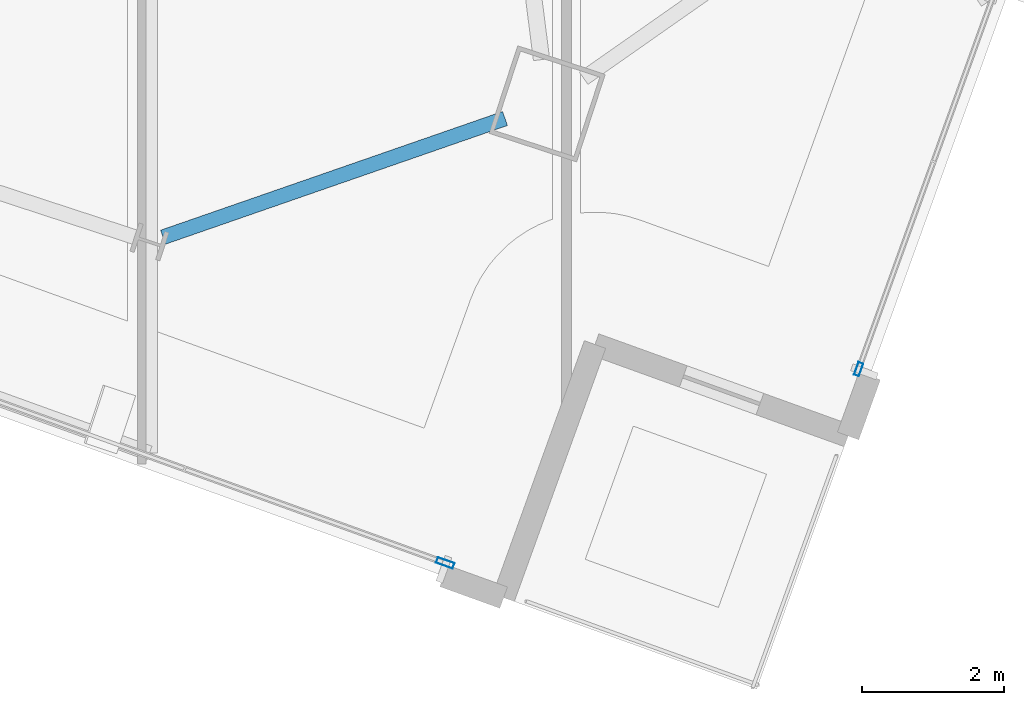
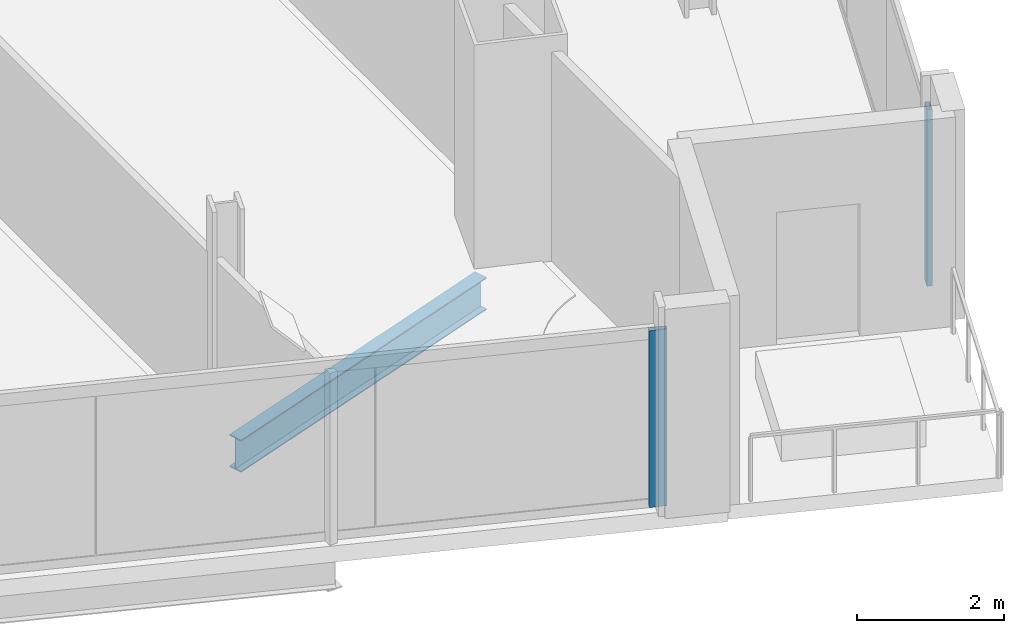
# One storey, part 8 of 27: 2 members, 1 beam, 2 elements without a shape of their own.
"""IFC4 building model written with IfcOpenShell, lengths in metres."""

from ifc_helpers import new_model, si_unit, direction, frame, origin, origin_2d, place, context, subcontext, project, spatial, hollow_rectangle, i_section, extrude, material, material_profile, profile_set, type_object, element, aggregate, save


model = new_model("IFC4")

# Units and contexts
model_context = context("Model", 3, precision=1e-05, world=origin(), true_north=direction((0.0, 1.0)))
body_context = subcontext(model_context, "Body", "Model", "MODEL_VIEW")
ifc_project = project(units=[si_unit("LENGTHUNIT", "METRE"), si_unit("AREAUNIT", "SQUARE_METRE"), si_unit("VOLUMEUNIT", "CUBIC_METRE"), si_unit("PLANEANGLEUNIT", "RADIAN"), si_unit("MASSUNIT", "GRAM", prefix="KILO")], contexts=[model_context])

# Site, building, storey
site_placement = place(None, origin())
site = spatial("IfcSite", under=ifc_project, at=site_placement, CompositionType="ELEMENT")
building_placement = place(site_placement, origin())
building = spatial("IfcBuilding", under=site, at=building_placement, Name="Haldenkirk Collegiate Tower", CompositionType="ELEMENT")
storey_placement = place(building_placement, frame((0.0, 0.0, 263.699951171875)))
storey = spatial("IfcBuildingStorey", under=building, at=storey_placement, Name="L66", CompositionType="ELEMENT", Elevation=263.699951171875)

# Beam
ifc_material_1 = material(Name="Steel ASTM A992 Grade 50", Category="steel")
ifc_material_profile_1 = material_profile(ifc_material_1, i_section(OverallWidth=0.2099609375, OverallDepth=0.537109375, WebThickness=0.010986328125, FlangeThickness=0.017333984375, at=origin_2d()), Name="W21X68")
ifc_profile_set_1 = profile_set([ifc_material_profile_1], Name="Steel ASTM A992 Grade 50")
beam_type = type_object("IfcBeamType", Name="BM-SPANDREL-W21X68", PredefinedType="SPANDREL", material=ifc_profile_set_1)
beam_placement = place(storey_placement, frame((41.302490234375, 2.56103515625, -0.538330078125), z_axis=(0.944700169719, 0.327935343221, 0.0), x_axis=(-0.327935343221, 0.944700169719, 0.0)))
element("IfcBeam", 1, at=beam_placement, inside=storey, type_object=beam_type, Name="L66 perimeter spandrel beam 16", PredefinedType="SPANDREL", context=body_context, shape_type="SweptSolid", body=[
    extrude(i_section(OverallWidth=0.2099609375, OverallDepth=0.537109375, WebThickness=0.010986328125, FlangeThickness=0.017333984375, at=origin_2d()), origin(), (0.0, 0.0, 1.0), 5.113037109375),
])

# Curtain wall, member
ifc_material_2 = material(Name="Anodised architectural bronze aluminium", Category="aluminium")
curtain_wall_type_1 = type_object("IfcCurtainWallType", Name="CW-SYS2-CONCAVE", PredefinedType="USERDEFINED", material=ifc_material_2)
curtain_wall_1_placement = place(storey_placement, origin())
curtain_wall_1 = element("IfcCurtainWall", 2, at=curtain_wall_1_placement, inside=storey, type_object=curtain_wall_type_1, Name="L66 South concave recessed bronze-anodised curtain wall", ObjectType="UNITISED CURTAIN WALL", PredefinedType="USERDEFINED")
ifc_material_profile_2 = material_profile(ifc_material_2, hollow_rectangle(XDim=0.074951171875, YDim=0.18994140625, WallThickness=0.0048828125, at=origin_2d()), Name="CW-MUL-02")
ifc_profile_set_2 = profile_set([ifc_material_profile_2], Name="Anodised architectural bronze aluminium")
member_type_1 = type_object("IfcMemberType", Name="CW-MUL-02", PredefinedType="MULLION", material=ifc_profile_set_2)
member_1_placement = place(storey_placement, frame((51.127197265625, 0.697509765625, 0.0), z_axis=(0.0, 0.0, 1.0), x_axis=(0.940584906317, -0.339558587006, 0.0)))
member_1 = element("IfcMember", 3, at=member_1_placement, type_object=member_type_1, Name="CW-02 mullion 5", PredefinedType="MULLION", context=body_context, shape_type="SweptSolid", body=[
    extrude(hollow_rectangle(XDim=0.074951171875, YDim=0.18994140625, WallThickness=0.0048828125, at=origin_2d()), origin(), (0.0, 0.0, 1.0), 2.93798828125),
])
aggregate(curtain_wall_1, [member_1])

curtain_wall_type_2 = type_object("IfcCurtainWallType", Name="CW-SYS1B-CONVEX-HI", PredefinedType="USERDEFINED", material=ifc_material_2)
curtain_wall_2_placement = place(storey_placement, origin())
curtain_wall_2 = element("IfcCurtainWall", 4, at=curtain_wall_2_placement, inside=storey, type_object=curtain_wall_type_2, Name="L66 Upper tower high-wind convex bronze unitised curtain wall", ObjectType="UNITISED CURTAIN WALL", PredefinedType="USERDEFINED")
ifc_material_profile_3 = material_profile(ifc_material_2, hollow_rectangle(XDim=0.0849609375, YDim=0.25, WallThickness=0.0048828125, at=origin_2d()), Name="CW-MUL-1B")
ifc_profile_set_3 = profile_set([ifc_material_profile_3], Name="Anodised architectural bronze aluminium")
member_type_2 = type_object("IfcMemberType", Name="CW-MUL-1B", PredefinedType="MULLION", material=ifc_profile_set_3)
member_2_placement = place(storey_placement, frame((45.288330078125, -2.039794921875, 0.0), z_axis=(0.0, 0.0, 1.0), x_axis=(-0.339558525625, -0.940584928475, 0.0)))
member_2 = element("IfcMember", 5, at=member_2_placement, type_object=member_type_2, Name="CW-1B mullion 1", PredefinedType="MULLION", context=body_context, shape_type="SweptSolid", body=[
    extrude(hollow_rectangle(XDim=0.0849609375, YDim=0.25, WallThickness=0.0048828125, at=origin_2d()), origin(), (0.0, 0.0, 1.0), 2.93798828125),
])
aggregate(curtain_wall_2, [member_2])

save(model, "model.ifc")
